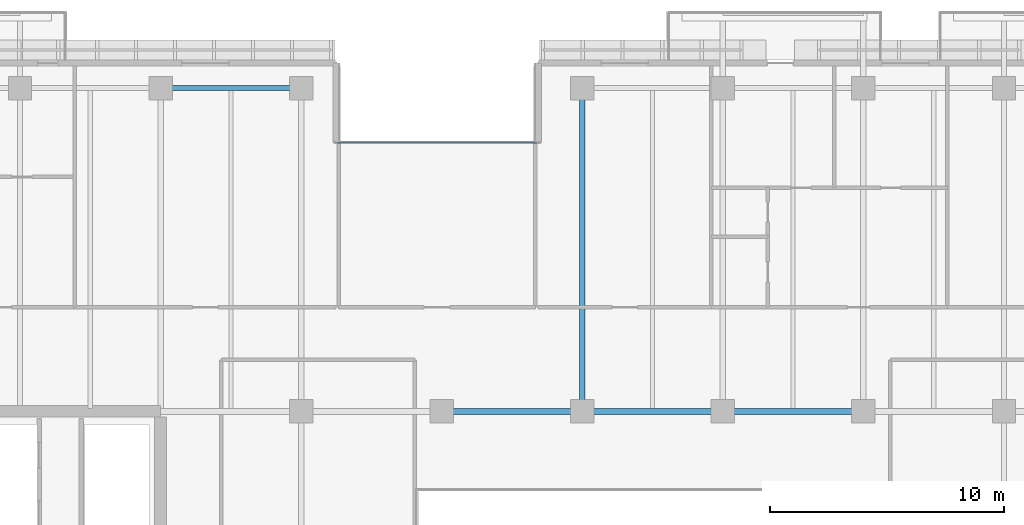
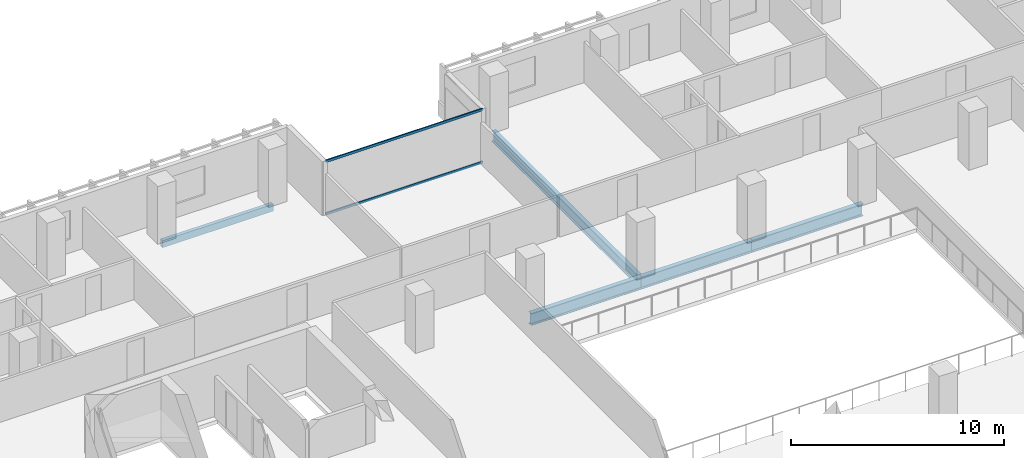
# One storey, part 12 of 33: 5 beams, 2 members, 1 element without a shape of its own.
"""IFC4 building model written with IfcOpenShell, lengths in metres."""

from ifc_helpers import new_model, si_unit, direction, frame, origin, origin_2d, place, context, subcontext, project, spatial, hollow_rectangle, i_section, extrude, material, layer, layer_set, material_profile, profile_set, type_object, element, aggregate, save


model = new_model("IFC4")

# Units and contexts
model_context = context("Model", 3, precision=1e-05, world=origin(), true_north=direction((0.0, 1.0)))
body_context = subcontext(model_context, "Body", "Model", "MODEL_VIEW")
ifc_project = project(units=[si_unit("LENGTHUNIT", "METRE"), si_unit("AREAUNIT", "SQUARE_METRE"), si_unit("VOLUMEUNIT", "CUBIC_METRE"), si_unit("PLANEANGLEUNIT", "RADIAN"), si_unit("MASSUNIT", "GRAM", prefix="KILO")], contexts=[model_context])

# Site, building, storey
site_placement = place(None, origin())
site = spatial("IfcSite", under=ifc_project, at=site_placement, CompositionType="ELEMENT")
building_placement = place(site_placement, origin())
building = spatial("IfcBuilding", under=site, at=building_placement, Name="Tanjung Sevakor Pilgrim Tower", CompositionType="ELEMENT")
storey_placement = place(building_placement, frame((0.0, 0.0, 95.3701171875)))
storey = spatial("IfcBuildingStorey", under=building, at=storey_placement, Name="L26", CompositionType="ELEMENT", Elevation=95.3701171875)

# Beams
ifc_material_1 = material(Name="Steel S355J2", Category="steel")
ifc_material_profile_1 = material_profile(ifc_material_1, i_section(OverallWidth=0.25439453125, OverallDepth=0.6875, WebThickness=0.01318359375, FlangeThickness=0.02099609375, FilletRadius=0.01513671875, at=origin_2d()))
ifc_profile_set_1 = profile_set([ifc_material_profile_1], Name="Steel S355J2")
beam_type_1 = type_object("IfcBeamType", Name="BM-B-G2-UB_686x254x152", PredefinedType="BEAM", material=ifc_profile_set_1)
for number, where, z_axis, x_axis, name in (
    (1, (48.0, 42.60009765625, -0.563720703125), (1.0, 0.0, 0.0), (0.0, 1.0, 0.0), "L26 Primary Floor Girder MAIN Y426-04"),
    (2, (54.0, 42.60009765625, -0.563720703125), (1.0, 0.0, 0.0), (0.0, 1.0, 0.0), "L26 Primary Floor Girder MAIN Y426-05"),
    (3, (60.0, 42.60009765625, -0.563720703125), (1.0, 0.0, 0.0), (0.0, 1.0, 0.0), "L26 Primary Floor Girder MAIN Y426-06"),
):
    element("IfcBeam", number, at=place(storey_placement, frame(where, z_axis=z_axis, x_axis=x_axis)), inside=storey, type_object=beam_type_1, Name=name, PredefinedType="BEAM", context=body_context, shape_type="SweptSolid", body=[
        extrude(i_section(OverallWidth=0.25439453125, OverallDepth=0.6875, WebThickness=0.01318359375, FlangeThickness=0.02099609375, FilletRadius=0.01513671875, at=origin_2d()), origin(), (0.0, 0.0, 1.0), 6.0),
    ])
ifc_material_2 = material(Name="Steel S355J2", Category="steel")
ifc_material_profile_2 = material_profile(ifc_material_2, i_section(OverallWidth=0.230224609375, OverallDepth=0.6171875, WebThickness=0.01318359375, FlangeThickness=0.022216796875, FilletRadius=0.0126953125, at=origin_2d()))
ifc_profile_set_2 = profile_set([ifc_material_profile_2], Name="Steel S355J2")
beam_type_2 = type_object("IfcBeamType", Name="BM-B-G3-UB_610x229x140", PredefinedType="BEAM", material=ifc_profile_set_2)
beam_1_placement = place(storey_placement, frame((54.0, 42.60009765625, -0.52880859375), z_axis=(0.0, 1.0, 0.0), x_axis=(-1.0, 0.0, 0.0)))
element("IfcBeam", 4, at=beam_1_placement, inside=storey, type_object=beam_type_2, Name="L26 MAIN Girder 013", PredefinedType="BEAM", context=body_context, shape_type="SweptSolid", body=[
    extrude(i_section(OverallWidth=0.230224609375, OverallDepth=0.6171875, WebThickness=0.01318359375, FlangeThickness=0.022216796875, FilletRadius=0.0126953125, at=origin_2d()), origin(), (0.0, 0.0, 1.0), 13.7998046875),
])
ifc_material_3 = material(Name="Steel S355J2", Category="steel")
ifc_material_profile_3 = material_profile(ifc_material_3, hollow_rectangle(XDim=0.199951171875, YDim=0.39990234375, WallThickness=0.01611328125, at=origin_2d()))
ifc_profile_set_3 = profile_set([ifc_material_profile_3], Name="Steel S355J2")
beam_type_3 = type_object("IfcBeamType", Name="BM-B-SP2-RHS_400x200x16", PredefinedType="SPANDREL", material=ifc_profile_set_3)
beam_2_placement = place(storey_placement, frame((36.0, 56.39990234375, -0.420166015625), z_axis=(1.0, 0.0, 0.0), x_axis=(0.0, 1.0, 0.0)))
element("IfcBeam", 5, at=beam_2_placement, inside=storey, type_object=beam_type_3, Name="L26 Spandrel MAIN N-06", PredefinedType="SPANDREL", context=body_context, shape_type="SweptSolid", body=[
    extrude(hollow_rectangle(XDim=0.199951171875, YDim=0.39990234375, WallThickness=0.01611328125, at=origin_2d()), origin(), (0.0, 0.0, 1.0), 6.0),
])

# Curtain wall, members
ifc_material_4 = material(Name="Aluminium 6063-T6 and Low-E Glass", Category="aluminium")
ifc_layer = layer(ifc_material_4, 0.179931640625)
ifc_layer_set = layer_set([ifc_layer], Name="CW-SYS-CLEFT")
curtain_wall_type = type_object("IfcCurtainWallType", Name="CW-SYS-CLEFT", PredefinedType="NOTDEFINED", material=ifc_layer_set)
curtain_wall_placement = place(storey_placement, origin())
curtain_wall = element("IfcCurtainWall", 6, at=curtain_wall_placement, inside=storey, type_object=curtain_wall_type, Name="L26 Curtain Wall CW-CLF-L26-10", PredefinedType="NOTDEFINED")
ifc_material_5 = material(Name="Aluminium 6063-T6", Category="aluminium")
ifc_material_profile_4 = material_profile(ifc_material_5, hollow_rectangle(XDim=0.06494140625, YDim=0.139892578125, WallThickness=0.00390625, at=origin_2d()))
ifc_profile_set_4 = profile_set([ifc_material_profile_4], Name="Aluminium 6063-T6")
member_type = type_object("IfcMemberType", Name="TYPE-CWT-1", PredefinedType="USERDEFINED", material=ifc_profile_set_4)
member_1_placement = place(storey_placement, frame((52.050048828125, 54.074951171875, 0.032470703125), z_axis=(-1.0, 0.0, 0.0), x_axis=(0.0, -1.0, 0.0)))
member_1 = element("IfcMember", 7, at=member_1_placement, type_object=member_type, Name="CW-CLF transom 1.1", ObjectType="TRANSOM", PredefinedType="USERDEFINED", context=body_context, shape_type="SweptSolid", body=[
    extrude(hollow_rectangle(XDim=0.06494140625, YDim=0.139892578125, WallThickness=0.00390625, at=origin_2d()), origin(), (0.0, 0.0, 1.0), 8.5),
])
member_2_placement = place(storey_placement, frame((52.050048828125, 54.074951171875, 3.04736328125), z_axis=(-1.0, 0.0, 0.0), x_axis=(0.0, -1.0, 0.0)))
member_2 = element("IfcMember", 8, at=member_2_placement, type_object=member_type, Name="CW-CLF transom 1.2", ObjectType="TRANSOM", PredefinedType="USERDEFINED", context=body_context, shape_type="SweptSolid", body=[
    extrude(hollow_rectangle(XDim=0.06494140625, YDim=0.139892578125, WallThickness=0.00390625, at=origin_2d()), origin(), (0.0, 0.0, 1.0), 8.5),
])
aggregate(curtain_wall, [member_1, member_2])

save(model, "model.ifc")
